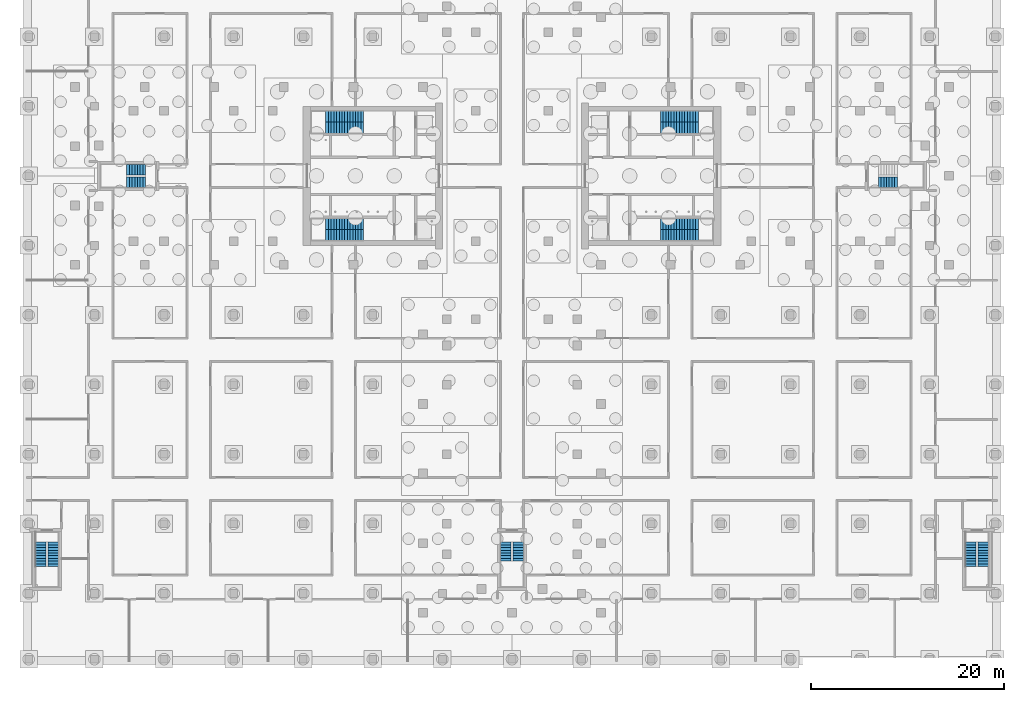
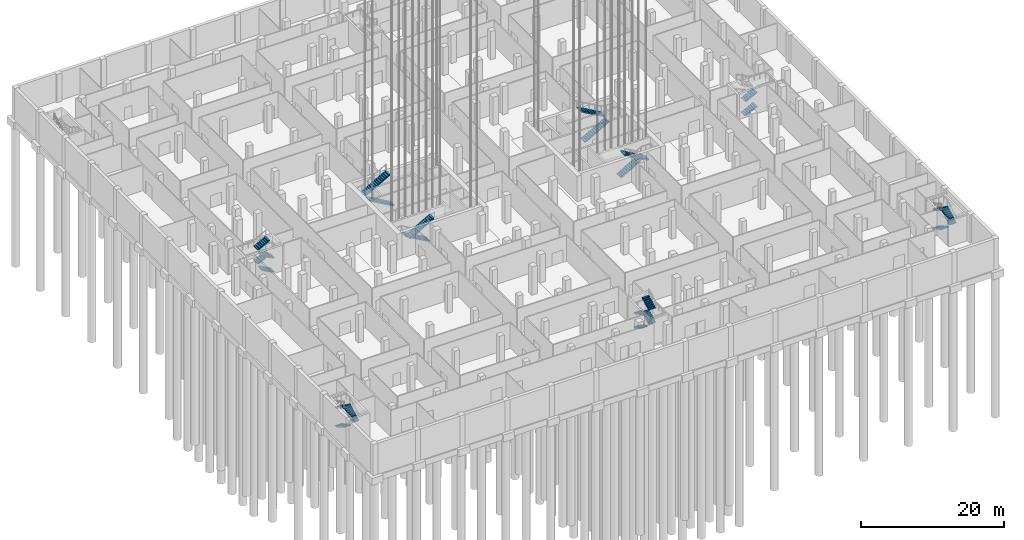
# One storey, part 22 of 54: 24 stair flights, 9 elements without a shape of their own.
"""IFC4 building model written with IfcOpenShell, lengths in metres."""

from ifc_helpers import new_model, si_unit, direction, frame, origin, place, context, subcontext, project, spatial, polyline, outline, extrude, material, type_object, element, aggregate, save


model = new_model("IFC4")

# Units and contexts
model_context = context("Model", 3, precision=1e-05, world=origin(), true_north=direction((0.0, 1.0)))
body_context = subcontext(model_context, "Body", "Model", "MODEL_VIEW")
ifc_project = project(units=[si_unit("LENGTHUNIT", "METRE"), si_unit("AREAUNIT", "SQUARE_METRE"), si_unit("VOLUMEUNIT", "CUBIC_METRE"), si_unit("PLANEANGLEUNIT", "RADIAN"), si_unit("MASSUNIT", "GRAM", prefix="KILO")], contexts=[model_context])

# Site, building, storey
site_placement = place(None, origin())
site = spatial("IfcSite", under=ifc_project, at=site_placement, CompositionType="ELEMENT")
building_placement = place(site_placement, origin())
building = spatial("IfcBuilding", under=site, at=building_placement, Name="Fustian Cross Tower", CompositionType="ELEMENT")
storey_placement = place(building_placement, frame((0.0, 0.0, -4.800048828125)))
storey = spatial("IfcBuildingStorey", under=building, at=storey_placement, Name="B1", CompositionType="ELEMENT", Elevation=-4.800048828125)

# Stair, stair flights
ifc_material_1 = material(Name="Concrete C50/60", Category="concrete")
stair_type_1 = type_object("IfcStairType", Name="STAIR 1100 HALF TURN", PredefinedType="HALF_TURN_STAIR", material=ifc_material_1)
stair_1_placement = place(storey_placement, origin())
stair_1 = element("IfcStair", 1, at=stair_1_placement, inside=storey, type_object=stair_type_1, Name="Stair ST6", PredefinedType="HALF_TURN_STAIR")
ifc_material_2 = material(Name="Concrete C50/60", Category="concrete")
stair_flight_type_1 = type_object("IfcStairFlightType", Name="STAIR FLIGHT 1100", PredefinedType="STRAIGHT", material=ifc_material_2)
stair_flight_1_placement = place(storey_placement, frame((-0.64990234375, -37.89990234375, 0.0), z_axis=(0.0, 0.0, 1.0), x_axis=(0.0, -1.0, 0.0)))
stair_flight_1 = element("IfcStairFlight", 2, at=stair_flight_1_placement, type_object=stair_flight_type_1, Name="ST6 flight 1", NumberOfRisers=8, NumberOfTreads=7, PredefinedType="STRAIGHT", RiserHeight=0.15, TreadLength=0.28, context=body_context, shape_type="SweptSolid", body=[
    extrude(outline(polyline([(0.0, 0.0), (0.0, 0.14990234375), (0.280029296875, 0.14990234375), (0.280029296875, 0.300048828125), (0.56005859375, 0.300048828125), (0.56005859375, 0.449951171875), (0.840087890625, 0.449951171875), (0.840087890625, 0.60009765625), (1.1201171875, 0.60009765625), (1.1201171875, 0.75), (1.39990234375, 0.75), (1.39990234375, 0.89990234375), (1.679931640625, 0.89990234375), (1.679931640625, 1.050048828125), (1.9599609375, 1.050048828125), (1.9599609375, 1.199951171875), (1.9599609375, 0.8798828125), (0.3173828125, 0.0), (0.0, 0.0)])), frame((0.0, 0.550048828125, 0.0), z_axis=(0.0, -1.0, 0.0), x_axis=(1.0, 0.0, 0.0)), (0.0, 0.0, 1.0), 1.10009765625),
])
stair_flight_2_placement = place(storey_placement, frame((0.64990234375, -39.860107421875, 1.199951171875), z_axis=(0.0, 0.0, 1.0), x_axis=(0.0, 1.0, 0.0)))
stair_flight_2 = element("IfcStairFlight", 3, at=stair_flight_2_placement, type_object=stair_flight_type_1, Name="ST6 flight 2", NumberOfRisers=8, NumberOfTreads=7, PredefinedType="STRAIGHT", RiserHeight=0.15, TreadLength=0.28, context=body_context, shape_type="SweptSolid", body=[
    extrude(outline(polyline([(0.0, 0.0), (0.0, 0.14990234375), (0.280029296875, 0.14990234375), (0.280029296875, 0.300048828125), (0.56005859375, 0.300048828125), (0.56005859375, 0.449951171875), (0.840087890625, 0.449951171875), (0.840087890625, 0.60009765625), (1.1201171875, 0.60009765625), (1.1201171875, 0.75), (1.39990234375, 0.75), (1.39990234375, 0.89990234375), (1.679931640625, 0.89990234375), (1.679931640625, 1.050048828125), (1.9599609375, 1.050048828125), (1.9599609375, 1.199951171875), (1.9599609375, 0.8798828125), (0.3173828125, 0.0), (0.0, 0.0)])), frame((0.0, 0.550048828125, 0.0), z_axis=(0.0, -1.0, 0.0), x_axis=(1.0, 0.0, 0.0)), (0.0, 0.0, 1.0), 1.10009765625),
])
stair_flight_3_placement = place(storey_placement, frame((-0.64990234375, -37.89990234375, 2.400146484375), z_axis=(0.0, 0.0, 1.0), x_axis=(0.0, -1.0, 0.0)))
stair_flight_3 = element("IfcStairFlight", 4, at=stair_flight_3_placement, type_object=stair_flight_type_1, Name="ST6 flight 3", NumberOfRisers=8, NumberOfTreads=7, PredefinedType="STRAIGHT", RiserHeight=0.15, TreadLength=0.28, context=body_context, shape_type="SweptSolid", body=[
    extrude(outline(polyline([(0.0, 0.0), (0.0, 0.14990234375), (0.280029296875, 0.14990234375), (0.280029296875, 0.300048828125), (0.56005859375, 0.300048828125), (0.56005859375, 0.449951171875), (0.840087890625, 0.449951171875), (0.840087890625, 0.60009765625), (1.1201171875, 0.60009765625), (1.1201171875, 0.75), (1.39990234375, 0.75), (1.39990234375, 0.89990234375), (1.679931640625, 0.89990234375), (1.679931640625, 1.050048828125), (1.9599609375, 1.050048828125), (1.9599609375, 1.199951171875), (1.9599609375, 0.8798828125), (0.3173828125, 0.0), (0.0, 0.0)])), frame((0.0, 0.550048828125, 0.0), z_axis=(0.0, -1.0, 0.0), x_axis=(1.0, 0.0, 0.0)), (0.0, 0.0, 1.0), 1.10009765625),
])
stair_flight_4_placement = place(storey_placement, frame((0.64990234375, -39.860107421875, 3.60009765625), z_axis=(0.0, 0.0, 1.0), x_axis=(0.0, 1.0, 0.0)))
stair_flight_4 = element("IfcStairFlight", 5, at=stair_flight_4_placement, type_object=stair_flight_type_1, Name="ST6 flight 4", NumberOfRisers=8, NumberOfTreads=7, PredefinedType="STRAIGHT", RiserHeight=0.15, TreadLength=0.28, context=body_context, shape_type="SweptSolid", body=[
    extrude(outline(polyline([(0.0, 0.0), (0.0, 0.14990234375), (0.280029296875, 0.14990234375), (0.280029296875, 0.300048828125), (0.56005859375, 0.300048828125), (0.56005859375, 0.449951171875), (0.840087890625, 0.449951171875), (0.840087890625, 0.60009765625), (1.1201171875, 0.60009765625), (1.1201171875, 0.75), (1.39990234375, 0.75), (1.39990234375, 0.89990234375), (1.679931640625, 0.89990234375), (1.679931640625, 1.050048828125), (1.9599609375, 1.050048828125), (1.9599609375, 1.199951171875), (1.9599609375, 0.8798828125), (0.3173828125, 0.0), (0.0, 0.0)])), frame((0.0, 0.550048828125, 0.0), z_axis=(0.0, -1.0, 0.0), x_axis=(1.0, 0.0, 0.0)), (0.0, 0.0, 1.0), 1.10009765625),
])
aggregate(stair_1, [stair_flight_1, stair_flight_2, stair_flight_3, stair_flight_4])

stair_2_placement = place(storey_placement, origin())
stair_2 = element("IfcStair", 6, at=stair_2_placement, inside=storey, type_object=stair_type_1, Name="Stair ST8", PredefinedType="HALF_TURN_STAIR")
stair_flight_5_placement = place(storey_placement, frame((37.89990234375, -0.64990234375, 0.0), z_axis=(0.0, 0.0, 1.0), x_axis=(1.0, 0.0, 0.0)))
stair_flight_5 = element("IfcStairFlight", 7, at=stair_flight_5_placement, type_object=stair_flight_type_1, Name="ST8 flight 1", NumberOfRisers=8, NumberOfTreads=7, PredefinedType="STRAIGHT", RiserHeight=0.15, TreadLength=0.28, context=body_context, shape_type="SweptSolid", body=[
    extrude(outline(polyline([(0.0, 0.0), (0.0, 0.14990234375), (0.280029296875, 0.14990234375), (0.280029296875, 0.300048828125), (0.56005859375, 0.300048828125), (0.56005859375, 0.449951171875), (0.840087890625, 0.449951171875), (0.840087890625, 0.60009765625), (1.1201171875, 0.60009765625), (1.1201171875, 0.75), (1.39990234375, 0.75), (1.39990234375, 0.89990234375), (1.679931640625, 0.89990234375), (1.679931640625, 1.050048828125), (1.9599609375, 1.050048828125), (1.9599609375, 1.199951171875), (1.9599609375, 0.8798828125), (0.3173828125, 0.0), (0.0, 0.0)])), frame((0.0, 0.550048828125, 0.0), z_axis=(0.0, -1.0, 0.0), x_axis=(1.0, 0.0, 0.0)), (0.0, 0.0, 1.0), 1.10009765625),
])
stair_flight_6_placement = place(storey_placement, frame((37.89990234375, -0.64990234375, 2.400146484375), z_axis=(0.0, 0.0, 1.0), x_axis=(1.0, 0.0, 0.0)))
stair_flight_6 = element("IfcStairFlight", 8, at=stair_flight_6_placement, type_object=stair_flight_type_1, Name="ST8 flight 3", NumberOfRisers=8, NumberOfTreads=7, PredefinedType="STRAIGHT", RiserHeight=0.15, TreadLength=0.28, context=body_context, shape_type="SweptSolid", body=[
    extrude(outline(polyline([(0.0, 0.0), (0.0, 0.14990234375), (0.280029296875, 0.14990234375), (0.280029296875, 0.300048828125), (0.56005859375, 0.300048828125), (0.56005859375, 0.449951171875), (0.840087890625, 0.449951171875), (0.840087890625, 0.60009765625), (1.1201171875, 0.60009765625), (1.1201171875, 0.75), (1.39990234375, 0.75), (1.39990234375, 0.89990234375), (1.679931640625, 0.89990234375), (1.679931640625, 1.050048828125), (1.9599609375, 1.050048828125), (1.9599609375, 1.199951171875), (1.9599609375, 0.8798828125), (0.3173828125, 0.0), (0.0, 0.0)])), frame((0.0, 0.550048828125, 0.0), z_axis=(0.0, -1.0, 0.0), x_axis=(1.0, 0.0, 0.0)), (0.0, 0.0, 1.0), 1.10009765625),
])
aggregate(stair_2, [stair_flight_5, stair_flight_6])

stair_3_placement = place(storey_placement, origin())
stair_3 = element("IfcStair", 9, at=stair_3_placement, inside=storey, type_object=stair_type_1, Name="Stair ST9", PredefinedType="HALF_TURN_STAIR")
stair_flight_7_placement = place(storey_placement, frame((-37.89990234375, -0.64990234375, 0.0), z_axis=(0.0, 0.0, 1.0), x_axis=(-1.0, 0.0, 0.0)))
stair_flight_7 = element("IfcStairFlight", 10, at=stair_flight_7_placement, type_object=stair_flight_type_1, Name="ST9 flight 1", NumberOfRisers=8, NumberOfTreads=7, PredefinedType="STRAIGHT", RiserHeight=0.15, TreadLength=0.28, context=body_context, shape_type="SweptSolid", body=[
    extrude(outline(polyline([(0.0, 0.0), (0.0, 0.14990234375), (0.280029296875, 0.14990234375), (0.280029296875, 0.300048828125), (0.56005859375, 0.300048828125), (0.56005859375, 0.449951171875), (0.840087890625, 0.449951171875), (0.840087890625, 0.60009765625), (1.1201171875, 0.60009765625), (1.1201171875, 0.75), (1.39990234375, 0.75), (1.39990234375, 0.89990234375), (1.679931640625, 0.89990234375), (1.679931640625, 1.050048828125), (1.9599609375, 1.050048828125), (1.9599609375, 1.199951171875), (1.9599609375, 0.8798828125), (0.3173828125, 0.0), (0.0, 0.0)])), frame((0.0, 0.550048828125, 0.0), z_axis=(0.0, -1.0, 0.0), x_axis=(1.0, 0.0, 0.0)), (0.0, 0.0, 1.0), 1.10009765625),
])
stair_flight_8_placement = place(storey_placement, frame((-39.860107421875, 0.64990234375, 1.199951171875), z_axis=(0.0, 0.0, 1.0), x_axis=(1.0, 0.0, 0.0)))
stair_flight_8 = element("IfcStairFlight", 11, at=stair_flight_8_placement, type_object=stair_flight_type_1, Name="ST9 flight 2", NumberOfRisers=8, NumberOfTreads=7, PredefinedType="STRAIGHT", RiserHeight=0.15, TreadLength=0.28, context=body_context, shape_type="SweptSolid", body=[
    extrude(outline(polyline([(0.0, 0.0), (0.0, 0.14990234375), (0.280029296875, 0.14990234375), (0.280029296875, 0.300048828125), (0.56005859375, 0.300048828125), (0.56005859375, 0.449951171875), (0.840087890625, 0.449951171875), (0.840087890625, 0.60009765625), (1.1201171875, 0.60009765625), (1.1201171875, 0.75), (1.39990234375, 0.75), (1.39990234375, 0.89990234375), (1.679931640625, 0.89990234375), (1.679931640625, 1.050048828125), (1.9599609375, 1.050048828125), (1.9599609375, 1.199951171875), (1.9599609375, 0.8798828125), (0.3173828125, 0.0), (0.0, 0.0)])), frame((0.0, 0.550048828125, 0.0), z_axis=(0.0, -1.0, 0.0), x_axis=(1.0, 0.0, 0.0)), (0.0, 0.0, 1.0), 1.10009765625),
])
stair_flight_9_placement = place(storey_placement, frame((-37.89990234375, -0.64990234375, 2.400146484375), z_axis=(0.0, 0.0, 1.0), x_axis=(-1.0, 0.0, 0.0)))
stair_flight_9 = element("IfcStairFlight", 12, at=stair_flight_9_placement, type_object=stair_flight_type_1, Name="ST9 flight 3", NumberOfRisers=8, NumberOfTreads=7, PredefinedType="STRAIGHT", RiserHeight=0.15, TreadLength=0.28, context=body_context, shape_type="SweptSolid", body=[
    extrude(outline(polyline([(0.0, 0.0), (0.0, 0.14990234375), (0.280029296875, 0.14990234375), (0.280029296875, 0.300048828125), (0.56005859375, 0.300048828125), (0.56005859375, 0.449951171875), (0.840087890625, 0.449951171875), (0.840087890625, 0.60009765625), (1.1201171875, 0.60009765625), (1.1201171875, 0.75), (1.39990234375, 0.75), (1.39990234375, 0.89990234375), (1.679931640625, 0.89990234375), (1.679931640625, 1.050048828125), (1.9599609375, 1.050048828125), (1.9599609375, 1.199951171875), (1.9599609375, 0.8798828125), (0.3173828125, 0.0), (0.0, 0.0)])), frame((0.0, 0.550048828125, 0.0), z_axis=(0.0, -1.0, 0.0), x_axis=(1.0, 0.0, 0.0)), (0.0, 0.0, 1.0), 1.10009765625),
])
stair_flight_10_placement = place(storey_placement, frame((-39.860107421875, 0.64990234375, 3.60009765625), z_axis=(0.0, 0.0, 1.0), x_axis=(1.0, 0.0, 0.0)))
stair_flight_10 = element("IfcStairFlight", 13, at=stair_flight_10_placement, type_object=stair_flight_type_1, Name="ST9 flight 4", NumberOfRisers=8, NumberOfTreads=7, PredefinedType="STRAIGHT", RiserHeight=0.15, TreadLength=0.28, context=body_context, shape_type="SweptSolid", body=[
    extrude(outline(polyline([(0.0, 0.0), (0.0, 0.14990234375), (0.280029296875, 0.14990234375), (0.280029296875, 0.300048828125), (0.56005859375, 0.300048828125), (0.56005859375, 0.449951171875), (0.840087890625, 0.449951171875), (0.840087890625, 0.60009765625), (1.1201171875, 0.60009765625), (1.1201171875, 0.75), (1.39990234375, 0.75), (1.39990234375, 0.89990234375), (1.679931640625, 0.89990234375), (1.679931640625, 1.050048828125), (1.9599609375, 1.050048828125), (1.9599609375, 1.199951171875), (1.9599609375, 0.8798828125), (0.3173828125, 0.0), (0.0, 0.0)])), frame((0.0, 0.550048828125, 0.0), z_axis=(0.0, -1.0, 0.0), x_axis=(1.0, 0.0, 0.0)), (0.0, 0.0, 1.0), 1.10009765625),
])
aggregate(stair_3, [stair_flight_7, stair_flight_8, stair_flight_9, stair_flight_10])

stair_4_placement = place(storey_placement, origin())
stair_4 = element("IfcStair", 14, at=stair_4_placement, inside=storey, type_object=stair_type_1, Name="Stair ST12", PredefinedType="HALF_TURN_STAIR")
stair_flight_11_placement = place(storey_placement, frame((47.449951171875, -37.89990234375, 0.0), z_axis=(0.0, 0.0, 1.0), x_axis=(0.0, -1.0, 0.0)))
stair_flight_11 = element("IfcStairFlight", 15, at=stair_flight_11_placement, type_object=stair_flight_type_1, Name="ST12 flight 1", NumberOfRisers=10, NumberOfTreads=9, PredefinedType="STRAIGHT", RiserHeight=0.16, TreadLength=0.28, context=body_context, shape_type="SweptSolid", body=[
    extrude(outline(polyline([(0.0, 0.0), (0.0, 0.159912109375), (0.280029296875, 0.159912109375), (0.280029296875, 0.320068359375), (0.56005859375, 0.320068359375), (0.56005859375, 0.47998046875), (0.840087890625, 0.47998046875), (0.840087890625, 0.639892578125), (1.1201171875, 0.639892578125), (1.1201171875, 0.800048828125), (1.39990234375, 0.800048828125), (1.39990234375, 0.9599609375), (1.679931640625, 0.9599609375), (1.679931640625, 1.1201171875), (1.9599609375, 1.1201171875), (1.9599609375, 1.280029296875), (2.239990234375, 1.280029296875), (2.239990234375, 1.43994140625), (2.52001953125, 1.43994140625), (2.52001953125, 1.60009765625), (2.52001953125, 1.267333984375), (0.30224609375, 0.0), (0.0, 0.0)])), frame((0.0, 0.550048828125, 0.0), z_axis=(0.0, -1.0, 0.0), x_axis=(1.0, 0.0, 0.0)), (0.0, 0.0, 1.0), 1.10009765625),
])
stair_flight_12_placement = place(storey_placement, frame((48.75, -40.419921875, 1.60009765625), z_axis=(0.0, 0.0, 1.0), x_axis=(0.0, 1.0, 0.0)))
stair_flight_12 = element("IfcStairFlight", 16, at=stair_flight_12_placement, type_object=stair_flight_type_1, Name="ST12 flight 2", NumberOfRisers=10, NumberOfTreads=9, PredefinedType="STRAIGHT", RiserHeight=0.16, TreadLength=0.28, context=body_context, shape_type="SweptSolid", body=[
    extrude(outline(polyline([(0.0, 0.0), (0.0, 0.159912109375), (0.280029296875, 0.159912109375), (0.280029296875, 0.320068359375), (0.56005859375, 0.320068359375), (0.56005859375, 0.47998046875), (0.840087890625, 0.47998046875), (0.840087890625, 0.639892578125), (1.1201171875, 0.639892578125), (1.1201171875, 0.800048828125), (1.39990234375, 0.800048828125), (1.39990234375, 0.9599609375), (1.679931640625, 0.9599609375), (1.679931640625, 1.1201171875), (1.9599609375, 1.1201171875), (1.9599609375, 1.280029296875), (2.239990234375, 1.280029296875), (2.239990234375, 1.43994140625), (2.52001953125, 1.43994140625), (2.52001953125, 1.60009765625), (2.52001953125, 1.267333984375), (0.30224609375, 0.0), (0.0, 0.0)])), frame((0.0, 0.550048828125, 0.0), z_axis=(0.0, -1.0, 0.0), x_axis=(1.0, 0.0, 0.0)), (0.0, 0.0, 1.0), 1.10009765625),
])
stair_flight_13_placement = place(storey_placement, frame((47.449951171875, -37.89990234375, 3.199951171875), z_axis=(0.0, 0.0, 1.0), x_axis=(0.0, -1.0, 0.0)))
stair_flight_13 = element("IfcStairFlight", 17, at=stair_flight_13_placement, type_object=stair_flight_type_1, Name="ST12 flight 3", NumberOfRisers=10, NumberOfTreads=9, PredefinedType="STRAIGHT", RiserHeight=0.16, TreadLength=0.28, context=body_context, shape_type="SweptSolid", body=[
    extrude(outline(polyline([(0.0, 0.0), (0.0, 0.159912109375), (0.280029296875, 0.159912109375), (0.280029296875, 0.320068359375), (0.56005859375, 0.320068359375), (0.56005859375, 0.47998046875), (0.840087890625, 0.47998046875), (0.840087890625, 0.639892578125), (1.1201171875, 0.639892578125), (1.1201171875, 0.800048828125), (1.39990234375, 0.800048828125), (1.39990234375, 0.9599609375), (1.679931640625, 0.9599609375), (1.679931640625, 1.1201171875), (1.9599609375, 1.1201171875), (1.9599609375, 1.280029296875), (2.239990234375, 1.280029296875), (2.239990234375, 1.43994140625), (2.52001953125, 1.43994140625), (2.52001953125, 1.60009765625), (2.52001953125, 1.267333984375), (0.30224609375, 0.0), (0.0, 0.0)])), frame((0.0, 0.550048828125, 0.0), z_axis=(0.0, -1.0, 0.0), x_axis=(1.0, 0.0, 0.0)), (0.0, 0.0, 1.0), 1.10009765625),
])
aggregate(stair_4, [stair_flight_11, stair_flight_12, stair_flight_13])

stair_5_placement = place(storey_placement, origin())
stair_5 = element("IfcStair", 18, at=stair_5_placement, inside=storey, type_object=stair_type_1, Name="Stair ST13", PredefinedType="HALF_TURN_STAIR")
stair_flight_14_placement = place(storey_placement, frame((-48.75, -37.89990234375, 0.0), z_axis=(0.0, 0.0, 1.0), x_axis=(0.0, -1.0, 0.0)))
stair_flight_14 = element("IfcStairFlight", 19, at=stair_flight_14_placement, type_object=stair_flight_type_1, Name="ST13 flight 1", NumberOfRisers=10, NumberOfTreads=9, PredefinedType="STRAIGHT", RiserHeight=0.16, TreadLength=0.28, context=body_context, shape_type="SweptSolid", body=[
    extrude(outline(polyline([(0.0, 0.0), (0.0, 0.159912109375), (0.280029296875, 0.159912109375), (0.280029296875, 0.320068359375), (0.56005859375, 0.320068359375), (0.56005859375, 0.47998046875), (0.840087890625, 0.47998046875), (0.840087890625, 0.639892578125), (1.1201171875, 0.639892578125), (1.1201171875, 0.800048828125), (1.39990234375, 0.800048828125), (1.39990234375, 0.9599609375), (1.679931640625, 0.9599609375), (1.679931640625, 1.1201171875), (1.9599609375, 1.1201171875), (1.9599609375, 1.280029296875), (2.239990234375, 1.280029296875), (2.239990234375, 1.43994140625), (2.52001953125, 1.43994140625), (2.52001953125, 1.60009765625), (2.52001953125, 1.267333984375), (0.30224609375, 0.0), (0.0, 0.0)])), frame((0.0, 0.550048828125, 0.0), z_axis=(0.0, -1.0, 0.0), x_axis=(1.0, 0.0, 0.0)), (0.0, 0.0, 1.0), 1.10009765625),
])
stair_flight_15_placement = place(storey_placement, frame((-47.449951171875, -40.419921875, 1.60009765625), z_axis=(0.0, 0.0, 1.0), x_axis=(0.0, 1.0, 0.0)))
stair_flight_15 = element("IfcStairFlight", 20, at=stair_flight_15_placement, type_object=stair_flight_type_1, Name="ST13 flight 2", NumberOfRisers=10, NumberOfTreads=9, PredefinedType="STRAIGHT", RiserHeight=0.16, TreadLength=0.28, context=body_context, shape_type="SweptSolid", body=[
    extrude(outline(polyline([(0.0, 0.0), (0.0, 0.159912109375), (0.280029296875, 0.159912109375), (0.280029296875, 0.320068359375), (0.56005859375, 0.320068359375), (0.56005859375, 0.47998046875), (0.840087890625, 0.47998046875), (0.840087890625, 0.639892578125), (1.1201171875, 0.639892578125), (1.1201171875, 0.800048828125), (1.39990234375, 0.800048828125), (1.39990234375, 0.9599609375), (1.679931640625, 0.9599609375), (1.679931640625, 1.1201171875), (1.9599609375, 1.1201171875), (1.9599609375, 1.280029296875), (2.239990234375, 1.280029296875), (2.239990234375, 1.43994140625), (2.52001953125, 1.43994140625), (2.52001953125, 1.60009765625), (2.52001953125, 1.267333984375), (0.30224609375, 0.0), (0.0, 0.0)])), frame((0.0, 0.550048828125, 0.0), z_axis=(0.0, -1.0, 0.0), x_axis=(1.0, 0.0, 0.0)), (0.0, 0.0, 1.0), 1.10009765625),
])
stair_flight_16_placement = place(storey_placement, frame((-48.75, -37.89990234375, 3.199951171875), z_axis=(0.0, 0.0, 1.0), x_axis=(0.0, -1.0, 0.0)))
stair_flight_16 = element("IfcStairFlight", 21, at=stair_flight_16_placement, type_object=stair_flight_type_1, Name="ST13 flight 3", NumberOfRisers=10, NumberOfTreads=9, PredefinedType="STRAIGHT", RiserHeight=0.16, TreadLength=0.28, context=body_context, shape_type="SweptSolid", body=[
    extrude(outline(polyline([(0.0, 0.0), (0.0, 0.159912109375), (0.280029296875, 0.159912109375), (0.280029296875, 0.320068359375), (0.56005859375, 0.320068359375), (0.56005859375, 0.47998046875), (0.840087890625, 0.47998046875), (0.840087890625, 0.639892578125), (1.1201171875, 0.639892578125), (1.1201171875, 0.800048828125), (1.39990234375, 0.800048828125), (1.39990234375, 0.9599609375), (1.679931640625, 0.9599609375), (1.679931640625, 1.1201171875), (1.9599609375, 1.1201171875), (1.9599609375, 1.280029296875), (2.239990234375, 1.280029296875), (2.239990234375, 1.43994140625), (2.52001953125, 1.43994140625), (2.52001953125, 1.60009765625), (2.52001953125, 1.267333984375), (0.30224609375, 0.0), (0.0, 0.0)])), frame((0.0, 0.550048828125, 0.0), z_axis=(0.0, -1.0, 0.0), x_axis=(1.0, 0.0, 0.0)), (0.0, 0.0, 1.0), 1.10009765625),
])
aggregate(stair_5, [stair_flight_14, stair_flight_15, stair_flight_16])

ifc_material_3 = material(Name="Concrete C50/60", Category="concrete")
stair_type_2 = type_object("IfcStairType", Name="STAIR 1150 HALF TURN", PredefinedType="HALF_TURN_STAIR", material=ifc_material_3)
stair_6_placement = place(storey_placement, origin())
stair_6 = element("IfcStair", 22, at=stair_6_placement, inside=storey, type_object=stair_type_2, Name="Stair ST1", PredefinedType="HALF_TURN_STAIR")
ifc_material_4 = material(Name="Concrete C50/60", Category="concrete")
stair_flight_type_2 = type_object("IfcStairFlightType", Name="STAIR FLIGHT 1150", PredefinedType="STRAIGHT", material=ifc_material_4)
stair_flight_17_placement = place(storey_placement, frame((15.35009765625, 4.97509765625, 0.0), z_axis=(0.0, 0.0, 1.0), x_axis=(1.0, 0.0, 0.0)))
stair_flight_17 = element("IfcStairFlight", 23, at=stair_flight_17_placement, type_object=stair_flight_type_2, Name="ST1 flight 1", NumberOfRisers=15, NumberOfTreads=14, PredefinedType="STRAIGHT", RiserHeight=0.16, TreadLength=0.28, context=body_context, shape_type="SweptSolid", body=[
    extrude(outline(polyline([(0.0, 0.0), (0.0, 0.159912109375), (0.280029296875, 0.159912109375), (0.280029296875, 0.320068359375), (0.56005859375, 0.320068359375), (0.56005859375, 0.47998046875), (0.840087890625, 0.47998046875), (0.840087890625, 0.639892578125), (1.1201171875, 0.639892578125), (1.1201171875, 0.800048828125), (1.39990234375, 0.800048828125), (1.39990234375, 0.9599609375), (1.679931640625, 0.9599609375), (1.679931640625, 1.1201171875), (1.9599609375, 1.1201171875), (1.9599609375, 1.280029296875), (2.239990234375, 1.280029296875), (2.239990234375, 1.43994140625), (2.52001953125, 1.43994140625), (2.52001953125, 1.60009765625), (2.800048828125, 1.60009765625), (2.800048828125, 1.760009765625), (3.080078125, 1.760009765625), (3.080078125, 1.919921875), (3.360107421875, 1.919921875), (3.360107421875, 2.080078125), (3.639892578125, 2.080078125), (3.639892578125, 2.239990234375), (3.919921875, 2.239990234375), (3.919921875, 2.39990234375), (3.919921875, 2.0673828125), (0.30224609375, 0.0), (0.0, 0.0)])), frame((0.0, 0.574951171875, 0.0), z_axis=(0.0, -1.0, 0.0), x_axis=(1.0, 0.0, 0.0)), (0.0, 0.0, 1.0), 1.14990234375),
])
stair_flight_18_placement = place(storey_placement, frame((19.27001953125, 6.125, 2.400146484375), z_axis=(0.0, 0.0, 1.0), x_axis=(-1.0, 0.0, 0.0)))
stair_flight_18 = element("IfcStairFlight", 24, at=stair_flight_18_placement, type_object=stair_flight_type_2, Name="ST1 flight 2", NumberOfRisers=15, NumberOfTreads=14, PredefinedType="STRAIGHT", RiserHeight=0.16, TreadLength=0.28, context=body_context, shape_type="SweptSolid", body=[
    extrude(outline(polyline([(0.0, 0.0), (0.0, 0.159912109375), (0.280029296875, 0.159912109375), (0.280029296875, 0.320068359375), (0.56005859375, 0.320068359375), (0.56005859375, 0.47998046875), (0.840087890625, 0.47998046875), (0.840087890625, 0.639892578125), (1.1201171875, 0.639892578125), (1.1201171875, 0.800048828125), (1.39990234375, 0.800048828125), (1.39990234375, 0.9599609375), (1.679931640625, 0.9599609375), (1.679931640625, 1.1201171875), (1.9599609375, 1.1201171875), (1.9599609375, 1.280029296875), (2.239990234375, 1.280029296875), (2.239990234375, 1.43994140625), (2.52001953125, 1.43994140625), (2.52001953125, 1.60009765625), (2.800048828125, 1.60009765625), (2.800048828125, 1.760009765625), (3.080078125, 1.760009765625), (3.080078125, 1.919921875), (3.360107421875, 1.919921875), (3.360107421875, 2.080078125), (3.639892578125, 2.080078125), (3.639892578125, 2.239990234375), (3.919921875, 2.239990234375), (3.919921875, 2.39990234375), (3.919921875, 2.0673828125), (0.30224609375, 0.0), (0.0, 0.0)])), frame((0.0, 0.574951171875, 0.0), z_axis=(0.0, -1.0, 0.0), x_axis=(1.0, 0.0, 0.0)), (0.0, 0.0, 1.0), 1.14990234375),
])
aggregate(stair_6, [stair_flight_17, stair_flight_18])

stair_7_placement = place(storey_placement, origin())
stair_7 = element("IfcStair", 25, at=stair_7_placement, inside=storey, type_object=stair_type_2, Name="Stair ST2", PredefinedType="HALF_TURN_STAIR")
stair_flight_19_placement = place(storey_placement, frame((15.35009765625, -4.97509765625, 0.0), z_axis=(0.0, 0.0, 1.0), x_axis=(1.0, 0.0, 0.0)))
stair_flight_19 = element("IfcStairFlight", 26, at=stair_flight_19_placement, type_object=stair_flight_type_2, Name="ST2 flight 1", NumberOfRisers=15, NumberOfTreads=14, PredefinedType="STRAIGHT", RiserHeight=0.16, TreadLength=0.28, context=body_context, shape_type="SweptSolid", body=[
    extrude(outline(polyline([(0.0, 0.0), (0.0, 0.159912109375), (0.280029296875, 0.159912109375), (0.280029296875, 0.320068359375), (0.56005859375, 0.320068359375), (0.56005859375, 0.47998046875), (0.840087890625, 0.47998046875), (0.840087890625, 0.639892578125), (1.1201171875, 0.639892578125), (1.1201171875, 0.800048828125), (1.39990234375, 0.800048828125), (1.39990234375, 0.9599609375), (1.679931640625, 0.9599609375), (1.679931640625, 1.1201171875), (1.9599609375, 1.1201171875), (1.9599609375, 1.280029296875), (2.239990234375, 1.280029296875), (2.239990234375, 1.43994140625), (2.52001953125, 1.43994140625), (2.52001953125, 1.60009765625), (2.800048828125, 1.60009765625), (2.800048828125, 1.760009765625), (3.080078125, 1.760009765625), (3.080078125, 1.919921875), (3.360107421875, 1.919921875), (3.360107421875, 2.080078125), (3.639892578125, 2.080078125), (3.639892578125, 2.239990234375), (3.919921875, 2.239990234375), (3.919921875, 2.39990234375), (3.919921875, 2.0673828125), (0.30224609375, 0.0), (0.0, 0.0)])), frame((0.0, 0.574951171875, 0.0), z_axis=(0.0, -1.0, 0.0), x_axis=(1.0, 0.0, 0.0)), (0.0, 0.0, 1.0), 1.14990234375),
])
stair_flight_20_placement = place(storey_placement, frame((19.27001953125, -6.125, 2.400146484375), z_axis=(0.0, 0.0, 1.0), x_axis=(-1.0, 0.0, 0.0)))
stair_flight_20 = element("IfcStairFlight", 27, at=stair_flight_20_placement, type_object=stair_flight_type_2, Name="ST2 flight 2", NumberOfRisers=15, NumberOfTreads=14, PredefinedType="STRAIGHT", RiserHeight=0.16, TreadLength=0.28, context=body_context, shape_type="SweptSolid", body=[
    extrude(outline(polyline([(0.0, 0.0), (0.0, 0.159912109375), (0.280029296875, 0.159912109375), (0.280029296875, 0.320068359375), (0.56005859375, 0.320068359375), (0.56005859375, 0.47998046875), (0.840087890625, 0.47998046875), (0.840087890625, 0.639892578125), (1.1201171875, 0.639892578125), (1.1201171875, 0.800048828125), (1.39990234375, 0.800048828125), (1.39990234375, 0.9599609375), (1.679931640625, 0.9599609375), (1.679931640625, 1.1201171875), (1.9599609375, 1.1201171875), (1.9599609375, 1.280029296875), (2.239990234375, 1.280029296875), (2.239990234375, 1.43994140625), (2.52001953125, 1.43994140625), (2.52001953125, 1.60009765625), (2.800048828125, 1.60009765625), (2.800048828125, 1.760009765625), (3.080078125, 1.760009765625), (3.080078125, 1.919921875), (3.360107421875, 1.919921875), (3.360107421875, 2.080078125), (3.639892578125, 2.080078125), (3.639892578125, 2.239990234375), (3.919921875, 2.239990234375), (3.919921875, 2.39990234375), (3.919921875, 2.0673828125), (0.30224609375, 0.0), (0.0, 0.0)])), frame((0.0, 0.574951171875, 0.0), z_axis=(0.0, -1.0, 0.0), x_axis=(1.0, 0.0, 0.0)), (0.0, 0.0, 1.0), 1.14990234375),
])
aggregate(stair_7, [stair_flight_19, stair_flight_20])

stair_8_placement = place(storey_placement, origin())
stair_8 = element("IfcStair", 28, at=stair_8_placement, inside=storey, type_object=stair_type_2, Name="Stair ST3", PredefinedType="HALF_TURN_STAIR")
stair_flight_21_placement = place(storey_placement, frame((-15.35009765625, 4.97509765625, 0.0), z_axis=(0.0, 0.0, 1.0), x_axis=(-1.0, 0.0, 0.0)))
stair_flight_21 = element("IfcStairFlight", 29, at=stair_flight_21_placement, type_object=stair_flight_type_2, Name="ST3 flight 1", NumberOfRisers=15, NumberOfTreads=14, PredefinedType="STRAIGHT", RiserHeight=0.16, TreadLength=0.28, context=body_context, shape_type="SweptSolid", body=[
    extrude(outline(polyline([(0.0, 0.0), (0.0, 0.159912109375), (0.280029296875, 0.159912109375), (0.280029296875, 0.320068359375), (0.56005859375, 0.320068359375), (0.56005859375, 0.47998046875), (0.840087890625, 0.47998046875), (0.840087890625, 0.639892578125), (1.1201171875, 0.639892578125), (1.1201171875, 0.800048828125), (1.39990234375, 0.800048828125), (1.39990234375, 0.9599609375), (1.679931640625, 0.9599609375), (1.679931640625, 1.1201171875), (1.9599609375, 1.1201171875), (1.9599609375, 1.280029296875), (2.239990234375, 1.280029296875), (2.239990234375, 1.43994140625), (2.52001953125, 1.43994140625), (2.52001953125, 1.60009765625), (2.800048828125, 1.60009765625), (2.800048828125, 1.760009765625), (3.080078125, 1.760009765625), (3.080078125, 1.919921875), (3.360107421875, 1.919921875), (3.360107421875, 2.080078125), (3.639892578125, 2.080078125), (3.639892578125, 2.239990234375), (3.919921875, 2.239990234375), (3.919921875, 2.39990234375), (3.919921875, 2.0673828125), (0.30224609375, 0.0), (0.0, 0.0)])), frame((0.0, 0.574951171875, 0.0), z_axis=(0.0, -1.0, 0.0), x_axis=(1.0, 0.0, 0.0)), (0.0, 0.0, 1.0), 1.14990234375),
])
stair_flight_22_placement = place(storey_placement, frame((-19.27001953125, 6.125, 2.400146484375), z_axis=(0.0, 0.0, 1.0), x_axis=(1.0, 0.0, 0.0)))
stair_flight_22 = element("IfcStairFlight", 30, at=stair_flight_22_placement, type_object=stair_flight_type_2, Name="ST3 flight 2", NumberOfRisers=15, NumberOfTreads=14, PredefinedType="STRAIGHT", RiserHeight=0.16, TreadLength=0.28, context=body_context, shape_type="SweptSolid", body=[
    extrude(outline(polyline([(0.0, 0.0), (0.0, 0.159912109375), (0.280029296875, 0.159912109375), (0.280029296875, 0.320068359375), (0.56005859375, 0.320068359375), (0.56005859375, 0.47998046875), (0.840087890625, 0.47998046875), (0.840087890625, 0.639892578125), (1.1201171875, 0.639892578125), (1.1201171875, 0.800048828125), (1.39990234375, 0.800048828125), (1.39990234375, 0.9599609375), (1.679931640625, 0.9599609375), (1.679931640625, 1.1201171875), (1.9599609375, 1.1201171875), (1.9599609375, 1.280029296875), (2.239990234375, 1.280029296875), (2.239990234375, 1.43994140625), (2.52001953125, 1.43994140625), (2.52001953125, 1.60009765625), (2.800048828125, 1.60009765625), (2.800048828125, 1.760009765625), (3.080078125, 1.760009765625), (3.080078125, 1.919921875), (3.360107421875, 1.919921875), (3.360107421875, 2.080078125), (3.639892578125, 2.080078125), (3.639892578125, 2.239990234375), (3.919921875, 2.239990234375), (3.919921875, 2.39990234375), (3.919921875, 2.0673828125), (0.30224609375, 0.0), (0.0, 0.0)])), frame((0.0, 0.574951171875, 0.0), z_axis=(0.0, -1.0, 0.0), x_axis=(1.0, 0.0, 0.0)), (0.0, 0.0, 1.0), 1.14990234375),
])
aggregate(stair_8, [stair_flight_21, stair_flight_22])

stair_9_placement = place(storey_placement, origin())
stair_9 = element("IfcStair", 31, at=stair_9_placement, inside=storey, type_object=stair_type_2, Name="Stair ST4", PredefinedType="HALF_TURN_STAIR")
stair_flight_23_placement = place(storey_placement, frame((-15.35009765625, -4.97509765625, 0.0), z_axis=(0.0, 0.0, 1.0), x_axis=(-1.0, 0.0, 0.0)))
stair_flight_23 = element("IfcStairFlight", 32, at=stair_flight_23_placement, type_object=stair_flight_type_2, Name="ST4 flight 1", NumberOfRisers=15, NumberOfTreads=14, PredefinedType="STRAIGHT", RiserHeight=0.16, TreadLength=0.28, context=body_context, shape_type="SweptSolid", body=[
    extrude(outline(polyline([(0.0, 0.0), (0.0, 0.159912109375), (0.280029296875, 0.159912109375), (0.280029296875, 0.320068359375), (0.56005859375, 0.320068359375), (0.56005859375, 0.47998046875), (0.840087890625, 0.47998046875), (0.840087890625, 0.639892578125), (1.1201171875, 0.639892578125), (1.1201171875, 0.800048828125), (1.39990234375, 0.800048828125), (1.39990234375, 0.9599609375), (1.679931640625, 0.9599609375), (1.679931640625, 1.1201171875), (1.9599609375, 1.1201171875), (1.9599609375, 1.280029296875), (2.239990234375, 1.280029296875), (2.239990234375, 1.43994140625), (2.52001953125, 1.43994140625), (2.52001953125, 1.60009765625), (2.800048828125, 1.60009765625), (2.800048828125, 1.760009765625), (3.080078125, 1.760009765625), (3.080078125, 1.919921875), (3.360107421875, 1.919921875), (3.360107421875, 2.080078125), (3.639892578125, 2.080078125), (3.639892578125, 2.239990234375), (3.919921875, 2.239990234375), (3.919921875, 2.39990234375), (3.919921875, 2.0673828125), (0.30224609375, 0.0), (0.0, 0.0)])), frame((0.0, 0.574951171875, 0.0), z_axis=(0.0, -1.0, 0.0), x_axis=(1.0, 0.0, 0.0)), (0.0, 0.0, 1.0), 1.14990234375),
])
stair_flight_24_placement = place(storey_placement, frame((-19.27001953125, -6.125, 2.400146484375), z_axis=(0.0, 0.0, 1.0), x_axis=(1.0, 0.0, 0.0)))
stair_flight_24 = element("IfcStairFlight", 33, at=stair_flight_24_placement, type_object=stair_flight_type_2, Name="ST4 flight 2", NumberOfRisers=15, NumberOfTreads=14, PredefinedType="STRAIGHT", RiserHeight=0.16, TreadLength=0.28, context=body_context, shape_type="SweptSolid", body=[
    extrude(outline(polyline([(0.0, 0.0), (0.0, 0.159912109375), (0.280029296875, 0.159912109375), (0.280029296875, 0.320068359375), (0.56005859375, 0.320068359375), (0.56005859375, 0.47998046875), (0.840087890625, 0.47998046875), (0.840087890625, 0.639892578125), (1.1201171875, 0.639892578125), (1.1201171875, 0.800048828125), (1.39990234375, 0.800048828125), (1.39990234375, 0.9599609375), (1.679931640625, 0.9599609375), (1.679931640625, 1.1201171875), (1.9599609375, 1.1201171875), (1.9599609375, 1.280029296875), (2.239990234375, 1.280029296875), (2.239990234375, 1.43994140625), (2.52001953125, 1.43994140625), (2.52001953125, 1.60009765625), (2.800048828125, 1.60009765625), (2.800048828125, 1.760009765625), (3.080078125, 1.760009765625), (3.080078125, 1.919921875), (3.360107421875, 1.919921875), (3.360107421875, 2.080078125), (3.639892578125, 2.080078125), (3.639892578125, 2.239990234375), (3.919921875, 2.239990234375), (3.919921875, 2.39990234375), (3.919921875, 2.0673828125), (0.30224609375, 0.0), (0.0, 0.0)])), frame((0.0, 0.574951171875, 0.0), z_axis=(0.0, -1.0, 0.0), x_axis=(1.0, 0.0, 0.0)), (0.0, 0.0, 1.0), 1.14990234375),
])
aggregate(stair_9, [stair_flight_23, stair_flight_24])

save(model, "model.ifc")
